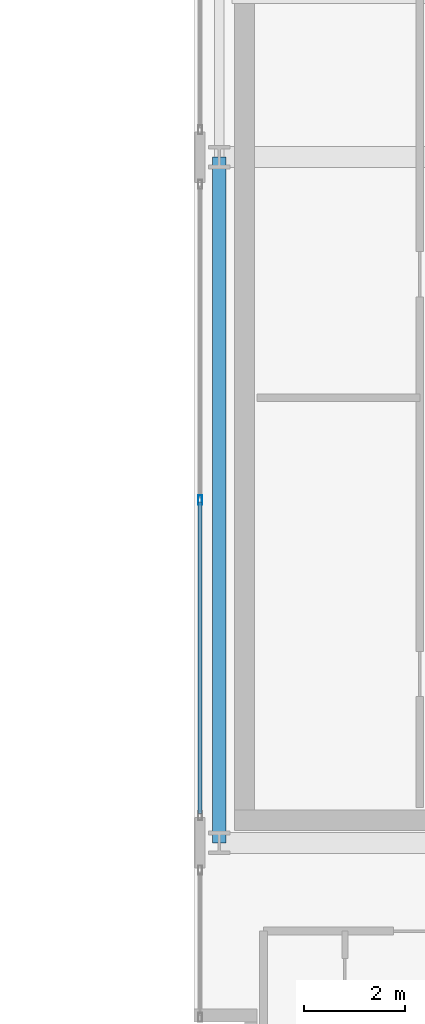
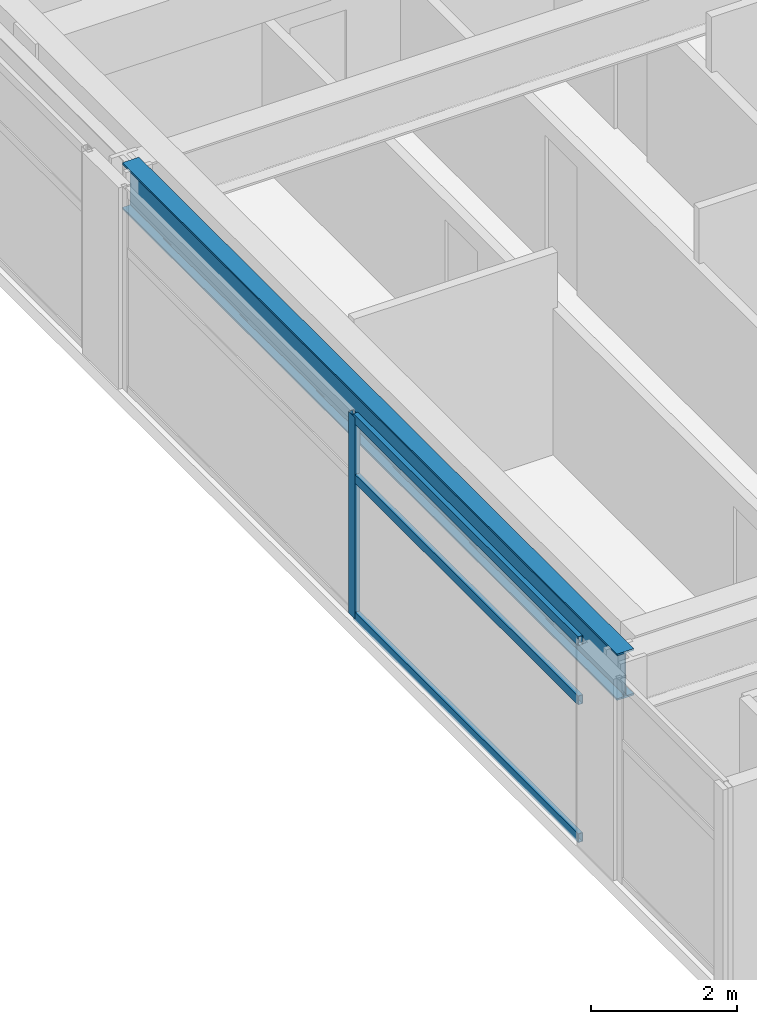
# One storey, part 9 of 25: 4 members, 1 beam, 1 element without a shape of its own.
"""IFC4 building model written with IfcOpenShell, lengths in metres."""

from ifc_helpers import new_model, si_unit, direction, frame, origin, origin_2d, place, context, subcontext, project, spatial, hollow_rectangle, i_section, extrude, source, transform, mapped, material, layer, layer_set, material_profile, profile_set, type_object, element, aggregate, save


model = new_model("IFC4")

# Units and contexts
model_context = context("Model", 3, precision=1e-05, world=origin(), true_north=direction((0.0, 1.0)))
body_context = subcontext(model_context, "Body", "Model", "MODEL_VIEW")
ifc_project = project(units=[si_unit("LENGTHUNIT", "METRE"), si_unit("AREAUNIT", "SQUARE_METRE"), si_unit("VOLUMEUNIT", "CUBIC_METRE"), si_unit("PLANEANGLEUNIT", "RADIAN"), si_unit("MASSUNIT", "GRAM", prefix="KILO")], contexts=[model_context])

# Site, building, storey
site_placement = place(None, origin())
site = spatial("IfcSite", under=ifc_project, at=site_placement, CompositionType="ELEMENT")
building_placement = place(site_placement, origin())
building = spatial("IfcBuilding", under=site, at=building_placement, Name="Ocotamira Hotel", CompositionType="ELEMENT")
storey_placement = place(building_placement, frame((0.0, 0.0, 265.199951171875)))
storey = spatial("IfcBuildingStorey", under=building, at=storey_placement, Name="L67", CompositionType="ELEMENT", Elevation=265.199951171875)

# Beam
ifc_material_1 = material(Name="Steel ASTM A992 Grade 50", Category="steel")
ifc_material_profile_1 = material_profile(ifc_material_1, i_section(OverallWidth=0.26611328125, OverallDepth=0.779052734375, WebThickness=0.0166015625, FlangeThickness=0.030029296875, FilletRadius=0.01806640625, at=origin_2d()), Name="W30X148")
ifc_profile_set_1 = profile_set([ifc_material_profile_1], Name="Steel ASTM A992 Grade 50")
beam_type = type_object("IfcBeamType", Name="BM-GIRD-W30X148", PredefinedType="BEAM", material=ifc_profile_set_1)
shared_shape_1 = source(origin(), body_context, "Body", "SweptSolid", [
    extrude(i_section(OverallWidth=0.26611328125, OverallDepth=0.779052734375, WebThickness=0.0166015625, FlangeThickness=0.030029296875, FilletRadius=0.01806640625, at=origin_2d()), origin(), (0.0, 0.0, 1.0), 13.599853515625),
])
beam_placement = place(storey_placement, frame((40.5, 14.550048828125, 2.990478515625), z_axis=(0.0, 1.0, 0.0), x_axis=(-1.0, 0.0, 0.0)))
element("IfcBeam", 1, at=beam_placement, inside=storey, type_object=beam_type, Name="L67 Beam X40.5 Y14.55-28.15", PredefinedType="BEAM", context=body_context, shape_type="MappedRepresentation", body=[
    mapped(shared_shape_1, transform((0.0, 0.0, 0.0), scale=1.0)),
])

# Curtain wall, members
ifc_material_2 = material(Name="Anodised pale-metal aluminium and solar glass", Category="aluminium")
ifc_layer = layer(ifc_material_2, 0.2099609375)
ifc_layer_set = layer_set([ifc_layer], Name="Anodised pale-metal aluminium and solar glass")
curtain_wall_type = type_object("IfcCurtainWallType", Name="CW-SYS7-PEAK", PredefinedType="NOTDEFINED", material=ifc_layer_set)
curtain_wall_placement = place(storey_placement, origin())
curtain_wall = element("IfcCurtainWall", 2, at=curtain_wall_placement, inside=storey, type_object=curtain_wall_type, Name="L67 Curtain Wall CW-7 CW-L67-EI2", PredefinedType="NOTDEFINED")
ifc_material_3 = material(Name="Anodised pale-metal aluminium 6063-T6", Category="aluminium")
ifc_material_profile_2 = material_profile(ifc_material_3, hollow_rectangle(XDim=0.080078125, YDim=0.179931640625, WallThickness=0.006103515625, at=origin_2d()), Name="HSS180X80X6")
ifc_profile_set_2 = profile_set([ifc_material_profile_2], Name="Anodised pale-metal aluminium 6063-T6")
member_type_1 = type_object("IfcMemberType", Name="CWM-180X75", PredefinedType="MULLION", material=ifc_profile_set_2)
shared_shape_2 = source(origin(), body_context, "Body", "SweptSolid", [
    extrude(hollow_rectangle(XDim=0.080078125, YDim=0.179931640625, WallThickness=0.006103515625, at=origin_2d()), origin(), (0.0, 0.0, 1.0), 3.380126953125),
])
member_1_placement = place(storey_placement, frame((40.1201171875, 21.35009765625, 0.0), z_axis=(0.0, 0.0, 1.0), x_axis=(-1.0, 0.0, 0.0)))
member_1 = element("IfcMember", 3, at=member_1_placement, type_object=member_type_1, Name="CW-7 mullion 2", PredefinedType="MULLION", context=body_context, shape_type="MappedRepresentation", body=[
    mapped(shared_shape_2, transform((0.0, 0.0, 0.0), scale=1.0)),
])
ifc_material_profile_3 = material_profile(ifc_material_3, hollow_rectangle(XDim=0.074951171875, YDim=0.14990234375, WallThickness=0.006103515625, at=origin_2d()), Name="HSS150X75X6")
ifc_profile_set_3 = profile_set([ifc_material_profile_3], Name="Anodised pale-metal aluminium 6063-T6")
member_type_2 = type_object("IfcMemberType", Name="CWT-150X75", PredefinedType="USERDEFINED", material=ifc_profile_set_3)
shared_shape_3 = source(origin(), body_context, "Body", "SweptSolid", [
    extrude(hollow_rectangle(XDim=0.074951171875, YDim=0.14990234375, WallThickness=0.006103515625, at=origin_2d()), origin(), (0.0, 0.0, 1.0), 6.18017578125),
])
member_2_placement = place(storey_placement, frame((40.1201171875, 15.1298828125, 0.03759765625), z_axis=(0.0, 1.0, 0.0), x_axis=(-1.0, 0.0, 0.0)))
member_2 = element("IfcMember", 4, at=member_2_placement, type_object=member_type_2, Name="CW-7 transom 1.1", ObjectType="TRANSOM", PredefinedType="USERDEFINED", context=body_context, shape_type="MappedRepresentation", body=[
    mapped(shared_shape_3, transform((0.0, 0.0, 0.0), scale=1.0)),
])
member_3_placement = place(storey_placement, frame((40.1201171875, 15.1298828125, 2.35009765625), z_axis=(0.0, 1.0, 0.0), x_axis=(-1.0, 0.0, 0.0)))
member_3 = element("IfcMember", 5, at=member_3_placement, type_object=member_type_2, Name="CW-7 transom 1.2", ObjectType="TRANSOM", PredefinedType="USERDEFINED", context=body_context, shape_type="MappedRepresentation", body=[
    mapped(shared_shape_3, transform((0.0, 0.0, 0.0), scale=1.0)),
])
member_4_placement = place(storey_placement, frame((40.1201171875, 15.1298828125, 3.342529296875), z_axis=(0.0, 1.0, 0.0), x_axis=(-1.0, 0.0, 0.0)))
member_4 = element("IfcMember", 6, at=member_4_placement, type_object=member_type_2, Name="CW-7 transom 1.3", ObjectType="TRANSOM", PredefinedType="USERDEFINED", context=body_context, shape_type="MappedRepresentation", body=[
    mapped(shared_shape_3, transform((0.0, 0.0, 0.0), scale=1.0)),
])
aggregate(curtain_wall, [member_1, member_2, member_3, member_4])

save(model, "model.ifc")
